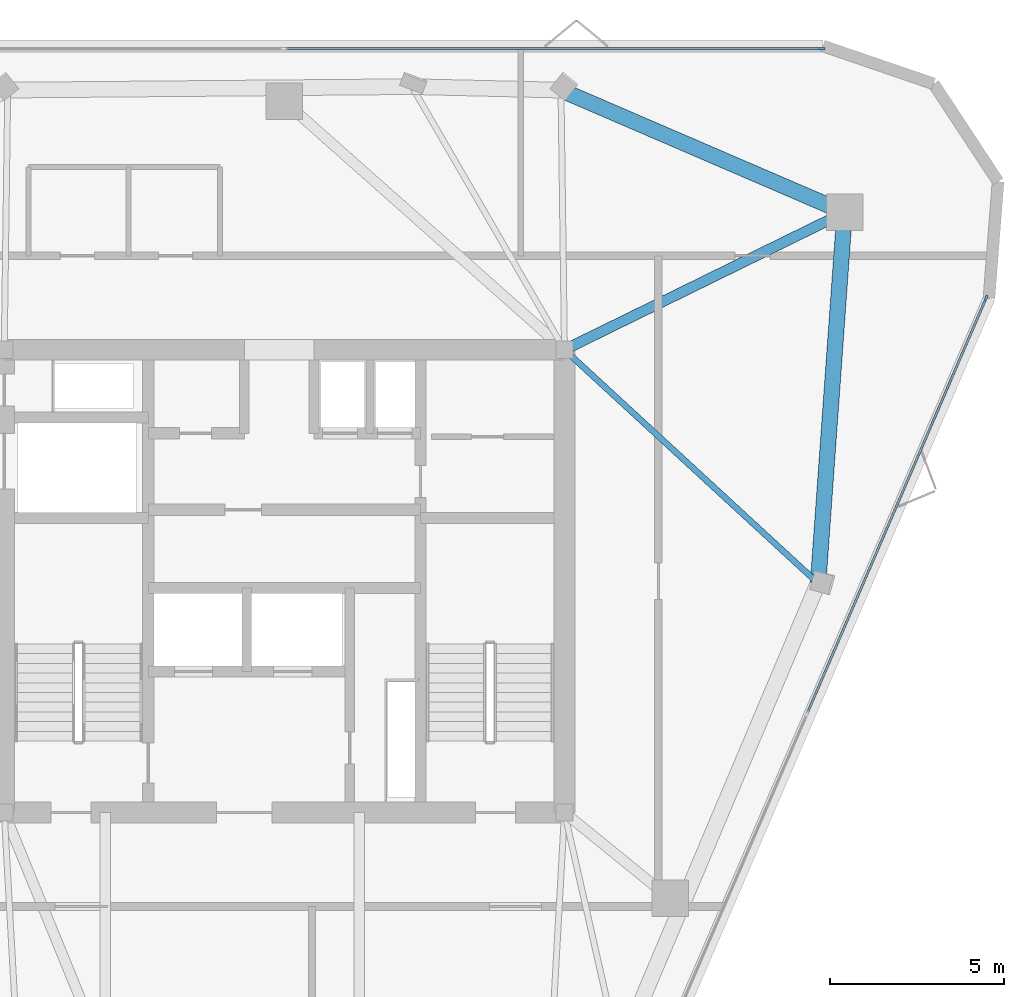
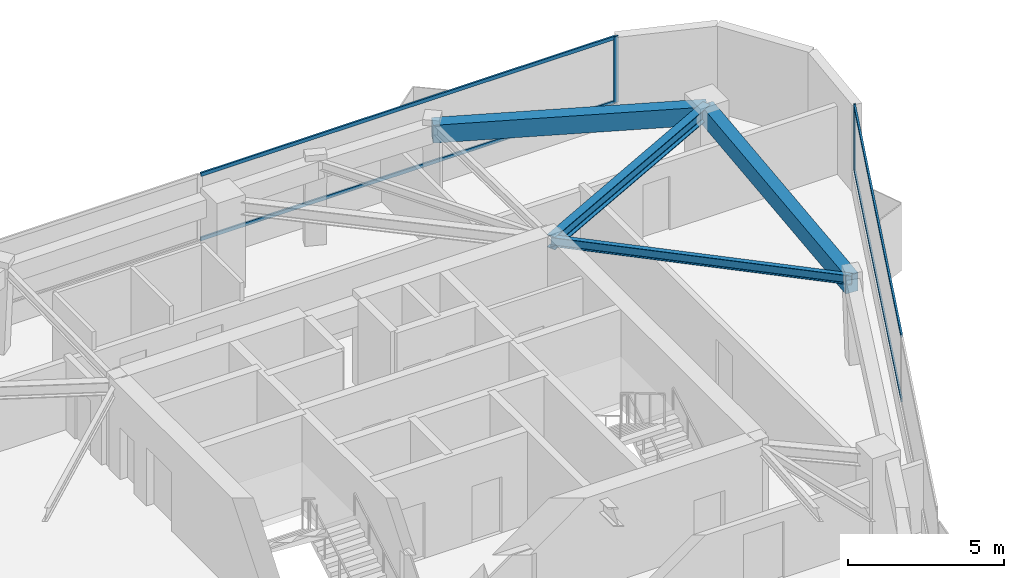
# One storey, part 5 of 9: 6 members, 4 beams, 2 elements without a shape of their own.
"""IFC4 building model written with IfcOpenShell, lengths in metres."""

from ifc_helpers import new_model, si_unit, direction, frame, origin, origin_2d, place, context, subcontext, project, spatial, rectangle, i_section, extrude, material, layer, layer_set, material_profile, profile_set, type_object, element, aggregate, save


model = new_model("IFC4")

# Units and contexts
model_context = context("Model", 3, precision=1e-05, world=origin(), true_north=direction((0.0, 1.0)))
body_context = subcontext(model_context, "Body", "Model", "MODEL_VIEW")
ifc_project = project(units=[si_unit("LENGTHUNIT", "METRE"), si_unit("AREAUNIT", "SQUARE_METRE"), si_unit("VOLUMEUNIT", "CUBIC_METRE"), si_unit("PLANEANGLEUNIT", "RADIAN"), si_unit("MASSUNIT", "GRAM", prefix="KILO")], contexts=[model_context])

# Site, building, storey
site_placement = place(None, origin())
site = spatial("IfcSite", under=ifc_project, at=site_placement, CompositionType="ELEMENT")
building_placement = place(site_placement, origin())
building = spatial("IfcBuilding", under=site, at=building_placement, Name="Talyreon Biosciences Tower", CompositionType="ELEMENT")
storey_placement = place(building_placement, frame((0.0, 0.0, 305.699951171875)))
storey = spatial("IfcBuildingStorey", under=building, at=storey_placement, Name="L81", CompositionType="ELEMENT", Elevation=305.699951171875)

# Curtain wall, member
ifc_material_1 = material(Name="Thermally broken aluminium and low-E glazing", Category="aluminium")
ifc_layer = layer(ifc_material_1, 0.175048828125)
ifc_layer_set = layer_set([ifc_layer], Name="Thermally broken aluminium and low-E glazing")
curtain_wall_type = type_object("IfcCurtainWallType", Name="CurtainWall_Zone5CompLab", PredefinedType="NOTDEFINED", material=ifc_layer_set)
curtain_wall_1_placement = place(storey_placement, origin())
curtain_wall_1 = element("IfcCurtainWall", 1, at=curtain_wall_1_placement, inside=storey, type_object=curtain_wall_type, Name="L81 Unitised Curtain Wall FCW-L81-04", PredefinedType="NOTDEFINED")
ifc_material_2 = material(Name="Anodised thermally broken aluminium", Category="aluminium")
ifc_material_profile_1 = material_profile(ifc_material_2, rectangle(XDim=0.06494140625, YDim=0.179931640625, at=origin_2d()), Name="ALUM MULLION 65x180")
ifc_profile_set_1 = profile_set([ifc_material_profile_1], Name="Anodised thermally broken aluminium")
member_type_1 = type_object("IfcMemberType", Name="CWMullion_65x180", PredefinedType="MULLION", material=ifc_profile_set_1)
member_1_placement = place(storey_placement, frame((81.4443359375, 83.303466796875, 0.81005859375), z_axis=(0.0, 0.0, 1.0), x_axis=(0.0, 1.0, 0.0)))
member_1 = element("IfcMember", 2, at=member_1_placement, type_object=member_type_1, Name="CW6 mullion 3", PredefinedType="MULLION", context=body_context, shape_type="SweptSolid", body=[
    extrude(rectangle(XDim=0.06494140625, YDim=0.179931640625, at=origin_2d()), origin(), (0.0, 0.0, 1.0), 2.590087890625),
])

curtain_wall_2_placement = place(storey_placement, origin())
curtain_wall_2 = element("IfcCurtainWall", 3, at=curtain_wall_2_placement, inside=storey, type_object=curtain_wall_type, Name="L81 Unitised Curtain Wall FCW-L81-08", PredefinedType="NOTDEFINED")
member_2_placement = place(storey_placement, frame((86.166015625, 76.12744140625, 0.81005859375), z_axis=(0.0, 0.0, 1.0), x_axis=(0.918363311246, -0.395738333444, 0.0)))
member_2 = element("IfcMember", 4, at=member_2_placement, type_object=member_type_1, Name="CW6 mullion 1", PredefinedType="MULLION", context=body_context, shape_type="SweptSolid", body=[
    extrude(rectangle(XDim=0.06494140625, YDim=0.179931640625, at=origin_2d()), origin(), (0.0, 0.0, 1.0), 2.590087890625),
])

# Member
ifc_material_profile_2 = material_profile(ifc_material_2, rectangle(XDim=0.06494140625, YDim=0.139892578125, at=origin_2d()), Name="ALUM TRANSOM 65x140")
ifc_profile_set_2 = profile_set([ifc_material_profile_2], Name="Anodised thermally broken aluminium")
member_type_2 = type_object("IfcMemberType", Name="CWTransom_65x140", PredefinedType="USERDEFINED", material=ifc_profile_set_2)
member_3_placement = place(storey_placement, frame((66.032470703125, 83.303466796875, 0.842529296875), z_axis=(1.0, 0.0, 0.0), x_axis=(0.0, 1.0, 0.0)))
member_3 = element("IfcMember", 5, at=member_3_placement, type_object=member_type_2, Name="CW6 transom 2.1", ObjectType="TRANSOM", PredefinedType="USERDEFINED", context=body_context, shape_type="SweptSolid", body=[
    extrude(rectangle(XDim=0.06494140625, YDim=0.139892578125, at=origin_2d()), origin(), (0.0, 0.0, 1.0), 15.37939453125),
])

member_4_placement = place(storey_placement, frame((66.032470703125, 83.303466796875, 3.367431640625), z_axis=(1.0, 0.0, 0.0), x_axis=(0.0, 1.0, 0.0)))
member_4 = element("IfcMember", 6, at=member_4_placement, type_object=member_type_2, Name="CW6 transom 2.2", ObjectType="TRANSOM", PredefinedType="USERDEFINED", context=body_context, shape_type="SweptSolid", body=[
    extrude(rectangle(XDim=0.06494140625, YDim=0.139892578125, at=origin_2d()), origin(), (0.0, 0.0, 1.0), 15.37939453125),
])

aggregate(curtain_wall_1, [member_1, member_3, member_4])

member_5_placement = place(storey_placement, frame((86.153076171875, 76.09765625, 0.842529296875), z_axis=(-0.395735791356, -0.918364406671, 0.0), x_axis=(0.918364406671, -0.395735791356, 0.0)))
member_5 = element("IfcMember", 7, at=member_5_placement, type_object=member_type_2, Name="CW6 transom 1.1", ObjectType="TRANSOM", PredefinedType="USERDEFINED", context=body_context, shape_type="SweptSolid", body=[
    extrude(rectangle(XDim=0.06494140625, YDim=0.139892578125, at=origin_2d()), origin(), (0.0, 0.0, 1.0), 12.938720703125),
])

member_6_placement = place(storey_placement, frame((86.153076171875, 76.09765625, 3.367431640625), z_axis=(-0.395735791356, -0.918364406671, 0.0), x_axis=(0.918364406671, -0.395735791356, 0.0)))
member_6 = element("IfcMember", 8, at=member_6_placement, type_object=member_type_2, Name="CW6 transom 1.2", ObjectType="TRANSOM", PredefinedType="USERDEFINED", context=body_context, shape_type="SweptSolid", body=[
    extrude(rectangle(XDim=0.06494140625, YDim=0.139892578125, at=origin_2d()), origin(), (0.0, 0.0, 1.0), 12.938720703125),
])

aggregate(curtain_wall_2, [member_2, member_5, member_6])

# Beams
ifc_material_3 = material(Name="Precast concrete C45/55", Category="concrete")
ifc_material_profile_3 = material_profile(ifc_material_3, rectangle(XDim=0.449951171875, YDim=0.699951171875, at=origin_2d()), Name="RCB 450x700")
ifc_profile_set_3 = profile_set([ifc_material_profile_3], Name="Precast concrete C45/55")
beam_type_1 = type_object("IfcBeamType", Name="ExpressedSpandrel_450x700", PredefinedType="SPANDREL", material=ifc_profile_set_3)
beam_1_placement = place(storey_placement, frame((81.3388671875, 67.9404296875, 3.050048828125), z_axis=(0.071445140362, 0.997444530748, 0.0), x_axis=(-0.997444530748, 0.071445140362, 0.0)))
element("IfcBeam", 9, at=beam_1_placement, inside=storey, type_object=beam_type_1, Name="L81 Expressed Horizontal Concrete Spandrel 04", PredefinedType="SPANDREL", context=body_context, shape_type="SweptSolid", body=[
    extrude(rectangle(XDim=0.449951171875, YDim=0.699951171875, at=origin_2d()), origin(), (0.0, 0.0, 1.0), 10.685546875),
])
beam_2_placement = place(storey_placement, frame((82.102294921875, 78.5986328125, 3.050048828125), z_axis=(-0.91838509397, 0.395687779916, 0.0), x_axis=(-0.395687779916, -0.91838509397, 0.0)))
element("IfcBeam", 10, at=beam_2_placement, inside=storey, type_object=beam_type_1, Name="L81 Expressed Horizontal Concrete Spandrel 05", PredefinedType="SPANDREL", context=body_context, shape_type="SweptSolid", body=[
    extrude(rectangle(XDim=0.449951171875, YDim=0.699951171875, at=origin_2d()), origin(), (0.0, 0.0, 1.0), 8.876708984375),
])
ifc_material_4 = material(Name="Steel SM355", Category="steel")
ifc_material_profile_4 = material_profile(ifc_material_4, i_section(OverallWidth=0.300048828125, OverallDepth=0.5, WebThickness=0.014404296875, FlangeThickness=0.028076171875, FilletRadius=0.027099609375, at=origin_2d()), Name="HE500B")
ifc_profile_set_4 = profile_set([ifc_material_profile_4], Name="Steel SM355")
beam_type_2 = type_object("IfcBeamType", Name="SteelBeam_HE500B", PredefinedType="BEAM", material=ifc_profile_set_4)
beam_3_placement = place(storey_placement, frame((74.050048828125, 74.64990234375, 3.150146484375), z_axis=(0.897852360314, 0.440296648952, 0.0), x_axis=(-0.440296648952, 0.897852360314, 0.0)))
element("IfcBeam", 11, at=beam_3_placement, inside=storey, type_object=beam_type_2, Name="L81 Radial Primary Girder 3", PredefinedType="BEAM", context=body_context, shape_type="SweptSolid", body=[
    extrude(i_section(OverallWidth=0.300048828125, OverallDepth=0.5, WebThickness=0.014404296875, FlangeThickness=0.028076171875, FilletRadius=0.027099609375, at=origin_2d()), origin(), (0.0, 0.0, 1.0), 8.96826171875),
])
ifc_material_profile_5 = material_profile(ifc_material_4, i_section(OverallWidth=0.169921875, OverallDepth=0.360107421875, WebThickness=0.008056640625, FlangeThickness=0.0126953125, FilletRadius=0.01806640625, at=origin_2d()), Name="IPE360")
ifc_profile_set_5 = profile_set([ifc_material_profile_5], Name="Steel SM355")
beam_type_3 = type_object("IfcBeamType", Name="SteelJoist_IPE360", PredefinedType="JOIST", material=ifc_profile_set_5)
beam_4_placement = place(storey_placement, frame((74.050048828125, 74.64990234375, 3.219970703125), z_axis=(0.735741883218, -0.677262047717, 0.0), x_axis=(0.677262047717, 0.735741883218, 0.0)))
element("IfcBeam", 12, at=beam_4_placement, inside=storey, type_object=beam_type_3, Name="L81 Radial Composite Floor Joist PC-SE2", PredefinedType="JOIST", context=body_context, shape_type="SweptSolid", body=[
    extrude(i_section(OverallWidth=0.169921875, OverallDepth=0.360107421875, WebThickness=0.008056640625, FlangeThickness=0.0126953125, FilletRadius=0.01806640625, at=origin_2d()), origin(), (0.0, 0.0, 1.0), 9.90673828125),
])

save(model, "model.ifc")
